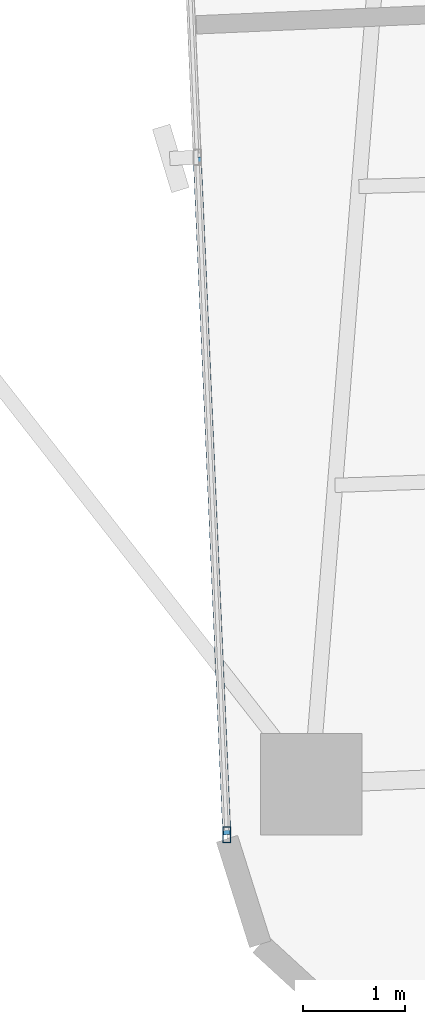
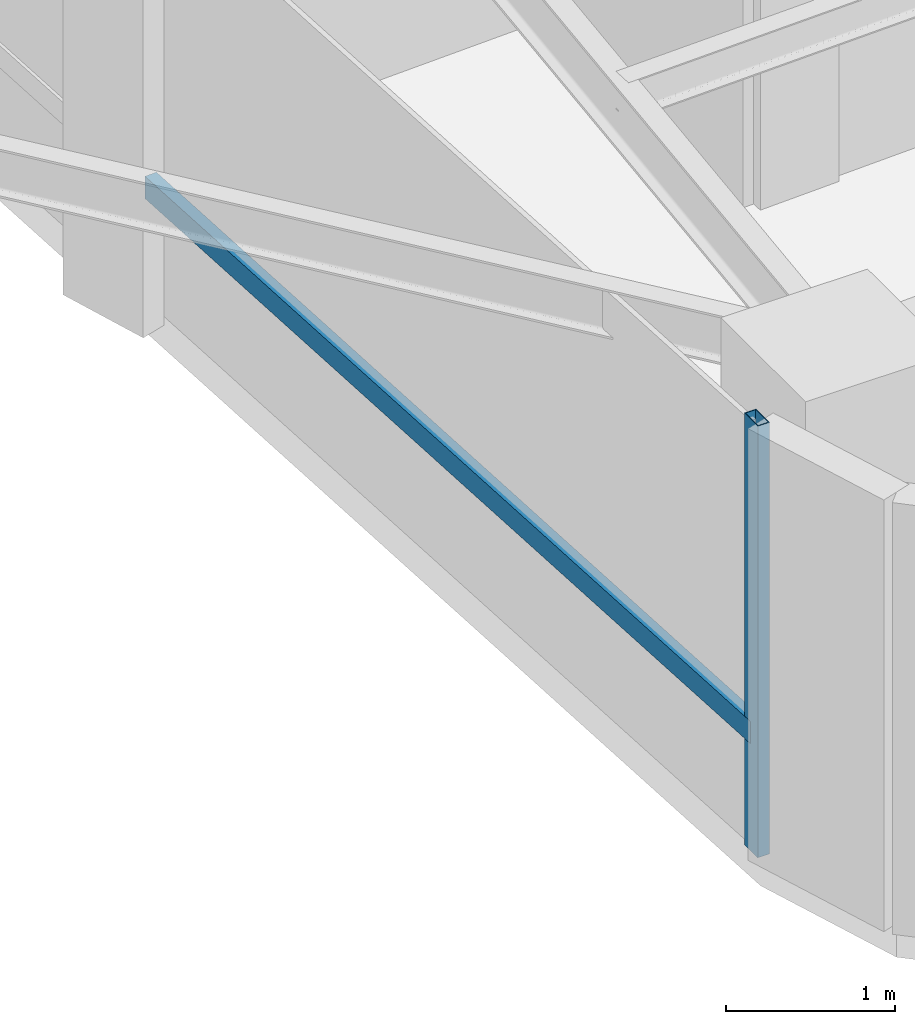
# One storey, part 2 of 26: 2 members, 1 element without a shape of its own.
"""IFC4 building model written with IfcOpenShell, lengths in metres."""

import ifcopenshell
import ifcopenshell.guid

model = None  # the IFC model being written
_history = None  # IfcOwnerHistory: only IFC2X3 demands one
_inside = {}  # id of a spatial element -> (the spatial element, [elements in it])
_under = {}  # id of a project, library or spatial element -> (it, [spatial elements below it])
_declared = {}  # id of a project -> (the project, [libraries it declares])
_typed = {}  # id of a type object -> (the type object, [elements of that type])
_made_of = {}  # id of a material, layer set ... -> (it, [elements and type objects made of it])


def new_model(schema):
    """Start an empty IFC model of exactly this schema.

    Asked for "IFC4X3", IfcOpenShell would pick the latest addendum, in which some entities
    have other attributes; the version numbers below select the first issue.
    IFC2X3 requires an IfcOwnerHistory on every rooted entity: one is made here for all.
    """
    global model, _history
    if schema == "IFC4X3":
        model = ifcopenshell.file(schema_version=(4, 3, 0, 0))
    else:
        model = ifcopenshell.file(schema=schema)
    _inside.clear()
    _under.clear()
    _declared.clear()
    _typed.clear()
    _made_of.clear()
    _history = None
    if model.schema == "IFC2X3":
        org = make("IfcOrganization", Name="unknown")
        user = make(
            "IfcPersonAndOrganization",
            ThePerson=make("IfcPerson", FamilyName="unknown"),
            TheOrganization=org,
        )
        app = make(
            "IfcApplication",
            ApplicationDeveloper=org,
            Version="unknown",
            ApplicationFullName="unknown",
            ApplicationIdentifier="unknown",
        )
        _history = make(
            "IfcOwnerHistory",
            OwningUser=user,
            OwningApplication=app,
            ChangeAction="ADDED",
            CreationDate=0,
        )
    return model


def make(cls, **values):
    """One entity of the class cls with the attributes given. An attribute that is None is left unset."""
    return model.create_entity(
        cls, **{name: value for name, value in values.items() if value is not None}
    )


def rooted(cls, **values):
    """An entity with a GlobalId (a new one), such as an element, a storey or a relation."""
    return make(cls, GlobalId=ifcopenshell.guid.new(), OwnerHistory=_history, **values)


def si_unit(unit_type, name, prefix=None):
    """IfcSIUnit, for example si_unit("LENGTHUNIT", "METRE", prefix="MILLI")."""
    return make("IfcSIUnit", UnitType=unit_type, Prefix=prefix, Name=name)


def assignment(units):
    """IfcUnitAssignment: the units of a project."""
    return None if units is None else make("IfcUnitAssignment", Units=units)


def point(xyz):
    """IfcCartesianPoint."""
    return None if xyz is None else make("IfcCartesianPoint", Coordinates=xyz)


def direction(xyz):
    """IfcDirection."""
    return None if xyz is None else make("IfcDirection", DirectionRatios=xyz)


def frame(location, z_axis=None, x_axis=None):
    """IfcAxis2Placement3D, a coordinate frame: its origin and axes. An axis left out is left unset."""
    return make(
        "IfcAxis2Placement3D",
        Location=point(location),
        Axis=direction(z_axis),
        RefDirection=direction(x_axis),
    )


def frame_2d(location, x_axis=None):
    """IfcAxis2Placement2D, a coordinate frame in the plane: its origin and x axis."""
    return make(
        "IfcAxis2Placement2D", Location=point(location), RefDirection=direction(x_axis)
    )


def origin():
    """The frame at (0, 0, 0) with its axes left unset."""
    return frame((0.0, 0.0, 0.0))


def origin_2d():
    """The frame at (0, 0) in the plane with its x axis left unset."""
    return frame_2d((0.0, 0.0))


def place(relative_to, where):
    """IfcLocalPlacement: puts the frame where relative to a parent placement (None: the world)."""
    return make(
        "IfcLocalPlacement", PlacementRelTo=relative_to, RelativePlacement=where
    )


def context(
    kind, dimensions, precision=None, world=None, true_north=None, identifier=None
):
    """IfcGeometricRepresentationContext, for example the 3D "Model" context."""
    return make(
        "IfcGeometricRepresentationContext",
        ContextIdentifier=identifier,
        ContextType=kind,
        CoordinateSpaceDimension=dimensions,
        Precision=precision,
        WorldCoordinateSystem=world,
        TrueNorth=true_north,
    )


def subcontext(parent, identifier, kind, view, scale=None):
    """IfcGeometricRepresentationSubContext, for example "Body" below "Model"."""
    return make(
        "IfcGeometricRepresentationSubContext",
        ContextIdentifier=identifier,
        ContextType=kind,
        ParentContext=parent,
        TargetScale=scale,
        TargetView=view,
    )


def project(units=None, contexts=None):
    """IfcProject with its units and contexts."""
    return rooted(
        "IfcProject",
        Name="project",
        RepresentationContexts=contexts,
        UnitsInContext=assignment(units),
    )


def spatial(cls, under=None, at=None, **own):
    """A site, building, storey or space (cls), placed at a placement, below another one or the project."""
    s = rooted(cls, ObjectPlacement=at, **own)
    if under is not None:
        _under.setdefault(under.id(), (under, []))[1].append(s)
    return s


def profile(cls, at=None, kind="AREA", **sizes):
    """A parametric profile (cls). Its sizes go by their IFC names, for example OverallWidth=200.0."""
    return make(cls, ProfileType=kind, Position=at, **sizes)


def hollow_rectangle(**sizes):
    """IfcRectangleHollowProfileDef."""
    return profile("IfcRectangleHollowProfileDef", **sizes)


def extrude(swept, where, along, depth):
    """IfcExtrudedAreaSolid: the profile swept, set in the frame where, extruded along a direction by depth."""
    return make(
        "IfcExtrudedAreaSolid",
        SweptArea=swept,
        Position=where,
        ExtrudedDirection=direction(along),
        Depth=depth,
    )


def shape(context_of_items, identifier, shape_type, items):
    """IfcShapeRepresentation: the items that make up one representation, for example the "Body"."""
    return make(
        "IfcShapeRepresentation",
        ContextOfItems=context_of_items,
        RepresentationIdentifier=identifier,
        RepresentationType=shape_type,
        Items=items,
    )


def source(mapping_origin, context_of_items, identifier, shape_type, items):
    """IfcRepresentationMap: a shape defined once, which mapped items show again and again."""
    return make(
        "IfcRepresentationMap",
        MappingOrigin=mapping_origin,
        MappedRepresentation=shape(context_of_items, identifier, shape_type, items),
    )


def transform(
    local_origin,
    x_axis=None,
    y_axis=None,
    z_axis=None,
    scale=None,
    scale2=None,
    scale3=None,
    uniform=True,
):
    """IfcCartesianTransformationOperator3D, or its non-uniform kind. x_axis, y_axis, z_axis: its Axis1, 2, 3."""
    if uniform:
        return make(
            "IfcCartesianTransformationOperator3D",
            Axis1=direction(x_axis),
            Axis2=direction(y_axis),
            LocalOrigin=point(local_origin),
            Scale=scale,
            Axis3=direction(z_axis),
        )
    return make(
        "IfcCartesianTransformationOperator3DnonUniform",
        Axis1=direction(x_axis),
        Axis2=direction(y_axis),
        LocalOrigin=point(local_origin),
        Scale=scale,
        Axis3=direction(z_axis),
        Scale2=scale2,
        Scale3=scale3,
    )


def mapped(mapping_source, mapping_target):
    """IfcMappedItem: shows the shape of a source again, moved by a transform."""
    return make(
        "IfcMappedItem", MappingSource=mapping_source, MappingTarget=mapping_target
    )


def material(Name=None, Category=None):
    """IfcMaterial."""
    return make("IfcMaterial", Name=Name, Category=Category)


def material_profile(
    of_material, cross_section, Name=None, Category=None, Priority=None
):
    """IfcMaterialProfile: a cross section and its material."""
    return make(
        "IfcMaterialProfile",
        Name=Name,
        Material=of_material,
        Profile=cross_section,
        Priority=Priority,
        Category=Category,
    )


def profile_set(profiles, Name=None, composite=None):
    """IfcMaterialProfileSet."""
    return make(
        "IfcMaterialProfileSet",
        Name=Name,
        MaterialProfiles=profiles,
        CompositeProfile=composite,
    )


def made_of(thing, what):
    """Note that an element or type object is made of a material, layer set ...; save() writes the relation."""
    if what is not None:
        _made_of.setdefault(what.id(), (what, []))[1].append(thing)
    return thing


def type_object(cls, material=None, **own):
    """A type object (cls), such as IfcWallType, which elements share."""
    return made_of(rooted(cls, **own), material)


def element(
    cls,
    number,
    at=None,
    inside=None,
    cuts=None,
    type_object=None,
    material=None,
    context=None,
    identifier="Body",
    shape_type=None,
    held_by="IfcProductDefinitionShape",
    body=None,
    shapes=None,
    **own,
):
    """One element of the class cls, such as IfcWall. Its Tag is "e" and its number.

    at: its placement. inside: the storey or other place that contains it. cuts: it is an
    opening in that element (IfcRelVoidsElement). A single representation is given by context,
    identifier, shape_type and body (its items); several are given by shapes. held_by: the class
    of the entity that holds the representations. save() writes the other relations.
    """
    e = rooted(cls, Tag="e%d" % number, ObjectPlacement=at, **own)
    if body is not None:
        shapes = [shape(context, identifier, shape_type, body)]
    if shapes is not None:
        e.Representation = make(held_by, Representations=shapes)
    if inside is not None:
        _inside.setdefault(inside.id(), (inside, []))[1].append(e)
    if cuts is not None:
        rooted(
            "IfcRelVoidsElement", RelatingBuildingElement=cuts, RelatedOpeningElement=e
        )
    if type_object is not None:
        _typed.setdefault(type_object.id(), (type_object, []))[1].append(e)
    return made_of(e, material)


def aggregate(whole, parts):
    """IfcRelAggregates: a whole, such as a stair, and the parts it consists of."""
    return rooted("IfcRelAggregates", RelatingObject=whole, RelatedObjects=parts)


def save(model, path):
    """Write the relations noted so far, then the file.

    IfcRelAggregates (storeys below a building ...), IfcRelContainedInSpatialStructure (elements
    in a storey), IfcRelDefinesByType, IfcRelAssociatesMaterial and IfcRelDeclares: one each for
    every whole, place, type object, material and project.
    """
    for whole, parts in _under.values():
        aggregate(whole, parts)
    for where, things in _inside.values():
        rooted(
            "IfcRelContainedInSpatialStructure",
            RelatedElements=things,
            RelatingStructure=where,
        )
    for kind, things in _typed.values():
        rooted("IfcRelDefinesByType", RelatedObjects=things, RelatingType=kind)
    for what, things in _made_of.values():
        rooted("IfcRelAssociatesMaterial", RelatedObjects=things, RelatingMaterial=what)
    for by, libraries in _declared.values():
        rooted("IfcRelDeclares", RelatingContext=by, RelatedDefinitions=libraries)
    model.write(path)


model = new_model("IFC4")

# Units and contexts
model_context = context("Model", 3, precision=1e-05, world=origin(), true_north=direction((0.0, 1.0)))
body_context = subcontext(model_context, "Body", "Model", "MODEL_VIEW")
ifc_project = project(units=[si_unit("LENGTHUNIT", "METRE"), si_unit("AREAUNIT", "SQUARE_METRE"), si_unit("VOLUMEUNIT", "CUBIC_METRE"), si_unit("PLANEANGLEUNIT", "RADIAN"), si_unit("MASSUNIT", "GRAM", prefix="KILO")], contexts=[model_context])

# Site, building, storey
site_placement = place(None, origin())
site = spatial("IfcSite", under=ifc_project, at=site_placement, CompositionType="ELEMENT")
building_placement = place(site_placement, origin())
building = spatial("IfcBuilding", under=site, at=building_placement, Name="Sahyath Konkavel Grand Hotel", CompositionType="ELEMENT")
storey_placement = place(building_placement, frame((0.0, 0.0, 118.14990234375)))
storey = spatial("IfcBuildingStorey", under=building, at=storey_placement, Name="L32", CompositionType="ELEMENT", Elevation=118.14990234375)

# Curtain wall, members
ifc_material_1 = material(Name="Anodised Bronze Aluminium & Low-E Glazing", Category="aluminium")
curtain_wall_type = type_object("IfcCurtainWallType", Name="CW-ZONE2", PredefinedType="NOTDEFINED", material=ifc_material_1)
curtain_wall_placement = place(storey_placement, origin())
curtain_wall = element("IfcCurtainWall", 1, at=curtain_wall_placement, inside=storey, type_object=curtain_wall_type, Name="L32 Unitised Curtain Wall F24", PredefinedType="NOTDEFINED")
ifc_material_2 = material(Name="Anodised Bronze Aluminium", Category="aluminium")
ifc_material_profile_1 = material_profile(ifc_material_2, hollow_rectangle(XDim=0.080078125, YDim=0.159912109375, WallThickness=0.006103515625, at=origin_2d()), Name="RHS 160x80x6")
ifc_profile_set_1 = profile_set([ifc_material_profile_1], Name="Anodised Bronze Aluminium")
member_type_1 = type_object("IfcMemberType", Name="CW-MUL-160", PredefinedType="MULLION", material=ifc_profile_set_1)
shared_shape_1 = source(origin(), body_context, "Body", "SweptSolid", [
    extrude(hollow_rectangle(XDim=0.080078125, YDim=0.159912109375, WallThickness=0.006103515625, at=origin_2d()), origin(), (0.0, 0.0, 1.0), 3.110107421875),
])
member_1_placement = place(storey_placement, frame((-5.605224609375, -22.92626953125, 0.0), z_axis=(0.0, 0.0, 1.0), x_axis=(1.0, 0.0, 0.0)))
member_1 = element("IfcMember", 2, at=member_1_placement, type_object=member_type_1, Name="L32 Curtain Wall Mullion F24-2", PredefinedType="MULLION", context=body_context, shape_type="MappedRepresentation", body=[
    mapped(shared_shape_1, transform((0.0, 0.0, 0.0), scale=1.0)),
])
ifc_material_profile_2 = material_profile(ifc_material_2, hollow_rectangle(XDim=0.080078125, YDim=0.159912109375, WallThickness=0.006103515625, at=origin_2d()), Name="RHS 160x80x6")
ifc_profile_set_2 = profile_set([ifc_material_profile_2], Name="Anodised Bronze Aluminium")
member_type_2 = type_object("IfcMemberType", Name="CW-TRN-160", PredefinedType="USERDEFINED", material=ifc_profile_set_2)
shared_shape_2 = source(origin(), body_context, "Body", "SweptSolid", [
    extrude(hollow_rectangle(XDim=0.080078125, YDim=0.159912109375, WallThickness=0.006103515625, at=origin_2d()), origin(), (0.0, 0.0, 1.0), 6.659912109375),
])
member_2_placement = place(storey_placement, frame((-5.895751953125, -16.272705078125, 0.85009765625), z_axis=(0.043623350741, -0.999048048529, 0.0), x_axis=(0.999048048529, 0.043623350741, 0.0)))
member_2 = element("IfcMember", 3, at=member_2_placement, type_object=member_type_2, Name="L32 Curtain Wall Transom F24-1-spandrel", ObjectType="TRANSOM", PredefinedType="USERDEFINED", context=body_context, shape_type="MappedRepresentation", body=[
    mapped(shared_shape_2, transform((0.0, 0.0, 0.0), scale=1.0)),
])
aggregate(curtain_wall, [member_1, member_2])

save(model, "model.ifc")
